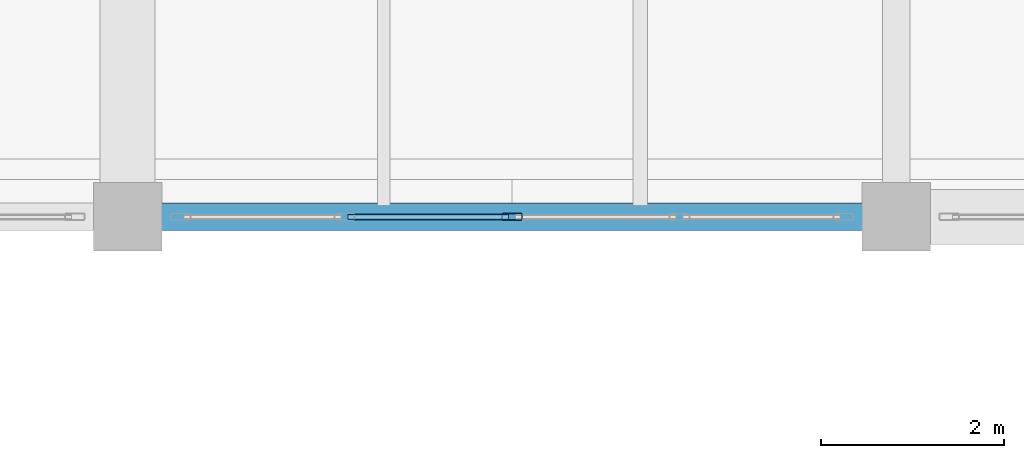
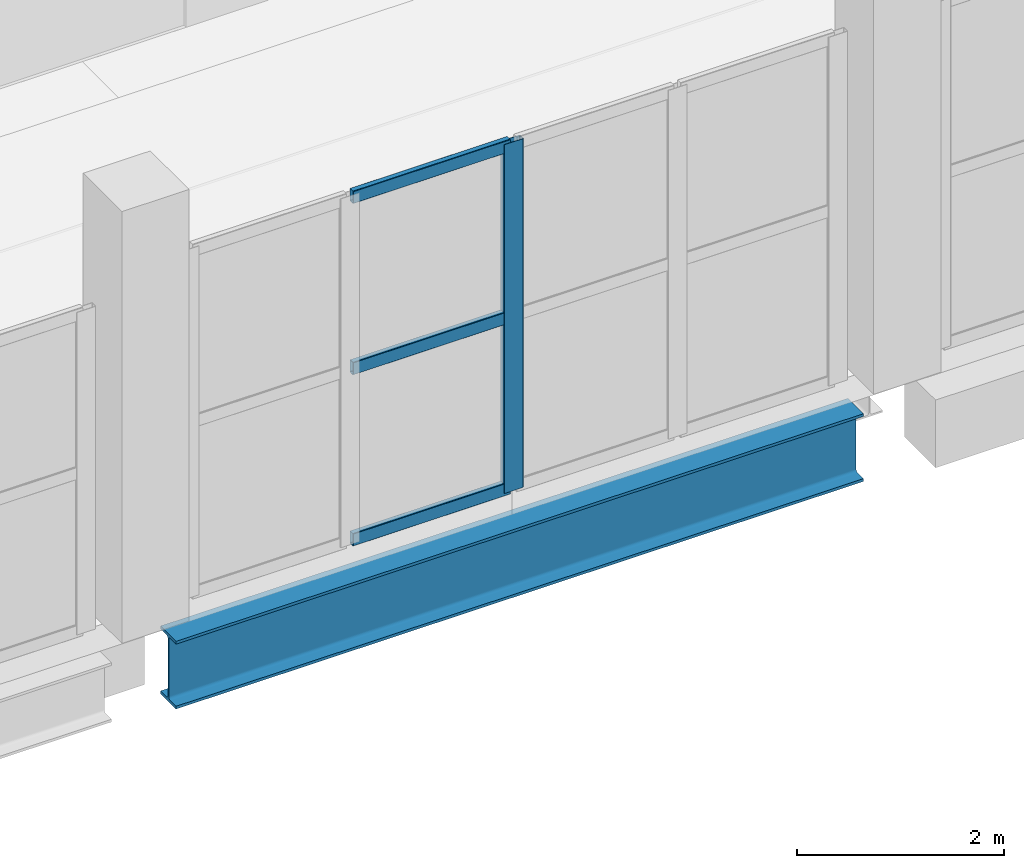
# One storey, part 43 of 77: 4 members, 1 beam, 1 element without a shape of its own.
"""IFC4 building model written with IfcOpenShell, lengths in metres."""

from ifc_helpers import new_model, si_unit, direction, frame, origin, origin_2d, place, context, subcontext, project, spatial, hollow_rectangle, i_section, extrude, material, layer, layer_set, material_profile, profile_set, type_object, element, aggregate, save


model = new_model("IFC4")

# Units and contexts
model_context = context("Model", 3, precision=1e-05, world=origin(), true_north=direction((0.0, 1.0)))
body_context = subcontext(model_context, "Body", "Model", "MODEL_VIEW")
ifc_project = project(units=[si_unit("LENGTHUNIT", "METRE"), si_unit("AREAUNIT", "SQUARE_METRE"), si_unit("VOLUMEUNIT", "CUBIC_METRE"), si_unit("PLANEANGLEUNIT", "RADIAN"), si_unit("MASSUNIT", "GRAM", prefix="KILO")], contexts=[model_context])

# Site, building, storey
site_placement = place(None, origin())
site = spatial("IfcSite", under=ifc_project, at=site_placement, CompositionType="ELEMENT")
building_placement = place(site_placement, origin())
building = spatial("IfcBuilding", under=site, at=building_placement, Name="Zulmaris Art Gallery", CompositionType="ELEMENT")
storey_placement = place(building_placement, frame((0.0, 0.0, 15.60009765625)))
storey = spatial("IfcBuildingStorey", under=building, at=storey_placement, Name="L03", CompositionType="ELEMENT", Elevation=15.60009765625)

# Beam
ifc_material_1 = material(Name="Steel S355J2", Category="steel")
ifc_material_profile_1 = material_profile(ifc_material_1, i_section(OverallWidth=0.300048828125, OverallDepth=0.800048828125, WebThickness=0.017578125, FlangeThickness=0.032958984375, FilletRadius=0.030029296875, at=origin_2d()), Name="HEB 800")
ifc_profile_set_1 = profile_set([ifc_material_profile_1], Name="Steel S355J2")
beam_type = type_object("IfcBeamType", Name="BEAM-BM17", PredefinedType="BEAM", material=ifc_profile_set_1)
beam_placement = place(storey_placement, frame((167.159912109375, 58.800048828125, -0.77001953125), z_axis=(1.0, 0.0, 0.0), x_axis=(0.0, 1.0, 0.0)))
element("IfcBeam", 1, at=beam_placement, inside=storey, type_object=beam_type, Name="L03 X-girder (166.8..175.2, y=58.8)", PredefinedType="BEAM", context=body_context, shape_type="SweptSolid", body=[
    extrude(i_section(OverallWidth=0.300048828125, OverallDepth=0.800048828125, WebThickness=0.017578125, FlangeThickness=0.032958984375, FilletRadius=0.030029296875, at=origin_2d()), origin(), (0.0, 0.0, 1.0), 7.68017578125),
])

# Curtain wall, members
ifc_material_2 = material(Name="Courtyard Artists Studio Curtain Wall", Category="aluminium")
ifc_layer = layer(ifc_material_2, 0.179931640625)
ifc_layer_set = layer_set([ifc_layer], Name="Courtyard Artists Studio Curtain Wall")
curtain_wall_type = type_object("IfcCurtainWallType", Name="CW-CW04", PredefinedType="NOTDEFINED", material=ifc_layer_set)
curtain_wall_placement = place(storey_placement, origin())
curtain_wall = element("IfcCurtainWall", 2, at=curtain_wall_placement, inside=storey, type_object=curtain_wall_type, Name="L03 curtain wall 155", PredefinedType="NOTDEFINED")
ifc_material_3 = material(Name="Anodised Bronze Aluminium", Category="aluminium")
ifc_material_profile_2 = material_profile(ifc_material_3, hollow_rectangle(XDim=0.074951171875, YDim=0.219970703125, WallThickness=0.0048828125, InnerFilletRadius=0.007568359375, OuterFilletRadius=0.012451171875, at=origin_2d()), Name="ALU 75x220x5")
ifc_profile_set_2 = profile_set([ifc_material_profile_2], Name="Anodised Bronze Aluminium")
member_type_1 = type_object("IfcMemberType", Name="CWMUL-02", PredefinedType="MULLION", material=ifc_profile_set_2)
member_1_placement = place(storey_placement, frame((171.0, 58.800048828125, 0.0), z_axis=(0.0, 0.0, 1.0), x_axis=(0.0, -1.0, 0.0)))
member_1 = element("IfcMember", 3, at=member_1_placement, type_object=member_type_1, Name="CW04 mullion 3", PredefinedType="MULLION", context=body_context, shape_type="SweptSolid", body=[
    extrude(hollow_rectangle(XDim=0.074951171875, YDim=0.219970703125, WallThickness=0.0048828125, InnerFilletRadius=0.007568359375, OuterFilletRadius=0.012451171875, at=origin_2d()), origin(), (0.0, 0.0, 1.0), 4.119873046875),
])
ifc_material_profile_3 = material_profile(ifc_material_3, hollow_rectangle(XDim=0.06494140625, YDim=0.14990234375, WallThickness=0.00390625, InnerFilletRadius=0.006103515625, OuterFilletRadius=0.010009765625, at=origin_2d()), Name="ALU 65x150x4")
ifc_profile_set_3 = profile_set([ifc_material_profile_3], Name="Anodised Bronze Aluminium")
member_type_2 = type_object("IfcMemberType", Name="CWTRN-01", PredefinedType="USERDEFINED", material=ifc_profile_set_3)
member_2_placement = place(storey_placement, frame((170.96240234375, 58.800048828125, 0.037353515625), z_axis=(-1.0, 0.0, 0.0), x_axis=(0.0, -1.0, 0.0)))
member_2 = element("IfcMember", 4, at=member_2_placement, type_object=member_type_2, Name="CW04 transom 3.1", ObjectType="TRANSOM", PredefinedType="USERDEFINED", context=body_context, shape_type="SweptSolid", body=[
    extrude(hollow_rectangle(XDim=0.06494140625, YDim=0.14990234375, WallThickness=0.00390625, InnerFilletRadius=0.006103515625, OuterFilletRadius=0.010009765625, at=origin_2d()), origin(), (0.0, 0.0, 1.0), 1.7548828125),
])
member_3_placement = place(storey_placement, frame((170.96240234375, 58.800048828125, 2.059814453125), z_axis=(-1.0, 0.0, 0.0), x_axis=(0.0, -1.0, 0.0)))
member_3 = element("IfcMember", 5, at=member_3_placement, type_object=member_type_2, Name="CW04 transom 3.2", ObjectType="TRANSOM", PredefinedType="USERDEFINED", context=body_context, shape_type="SweptSolid", body=[
    extrude(hollow_rectangle(XDim=0.06494140625, YDim=0.14990234375, WallThickness=0.00390625, InnerFilletRadius=0.006103515625, OuterFilletRadius=0.010009765625, at=origin_2d()), origin(), (0.0, 0.0, 1.0), 1.7548828125),
])
member_4_placement = place(storey_placement, frame((170.96240234375, 58.800048828125, 4.08251953125), z_axis=(-1.0, 0.0, 0.0), x_axis=(0.0, -1.0, 0.0)))
member_4 = element("IfcMember", 6, at=member_4_placement, type_object=member_type_2, Name="CW04 transom 3.3", ObjectType="TRANSOM", PredefinedType="USERDEFINED", context=body_context, shape_type="SweptSolid", body=[
    extrude(hollow_rectangle(XDim=0.06494140625, YDim=0.14990234375, WallThickness=0.00390625, InnerFilletRadius=0.006103515625, OuterFilletRadius=0.010009765625, at=origin_2d()), origin(), (0.0, 0.0, 1.0), 1.7548828125),
])
aggregate(curtain_wall, [member_1, member_2, member_3, member_4])

save(model, "model.ifc")
